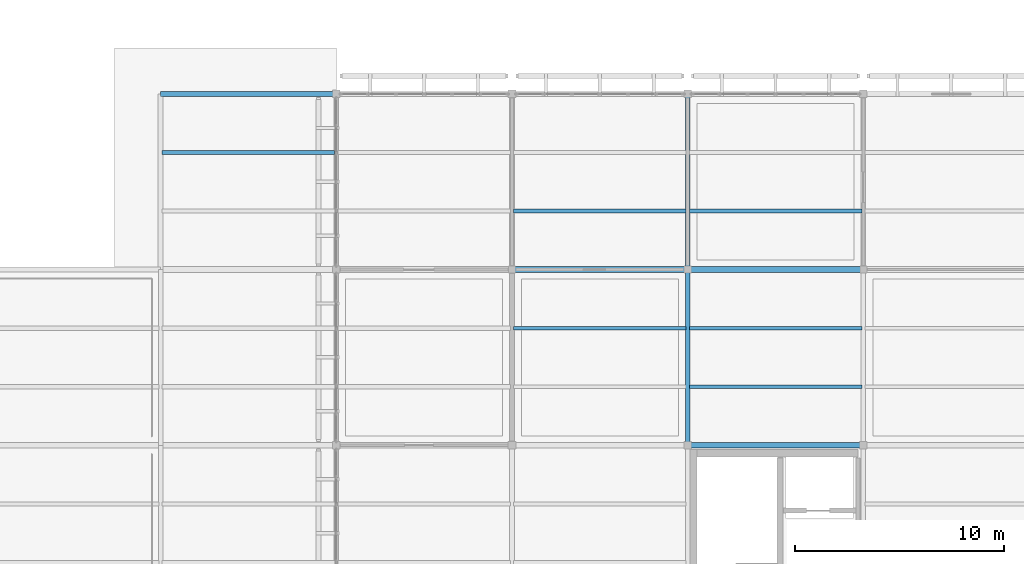
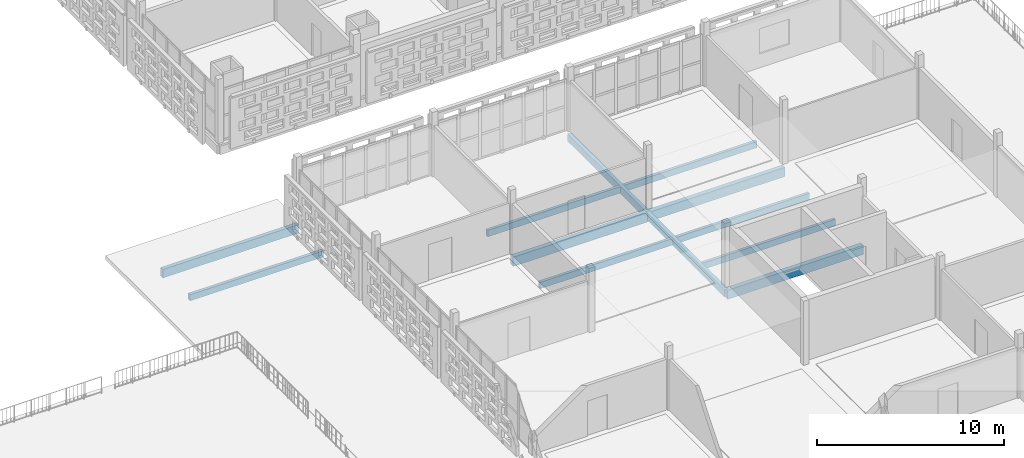
# One storey, part 62 of 166: 12 beams.
"""IFC4 building model written with IfcOpenShell, lengths in metres."""

from ifc_helpers import new_model, si_unit, direction, frame, origin, origin_2d, place, context, subcontext, project, spatial, rectangle, extrude, material, material_profile, profile_set, type_object, element, save


model = new_model("IFC4")

# Units and contexts
model_context = context("Model", 3, precision=1e-05, world=origin(), true_north=direction((0.0, 1.0)))
body_context = subcontext(model_context, "Body", "Model", "MODEL_VIEW")
ifc_project = project(units=[si_unit("LENGTHUNIT", "METRE"), si_unit("AREAUNIT", "SQUARE_METRE"), si_unit("VOLUMEUNIT", "CUBIC_METRE"), si_unit("PLANEANGLEUNIT", "RADIAN"), si_unit("MASSUNIT", "GRAM", prefix="KILO")], contexts=[model_context])

# Site, building, storey
site_placement = place(None, origin())
site = spatial("IfcSite", under=ifc_project, at=site_placement, CompositionType="ELEMENT")
building_placement = place(site_placement, origin())
building = spatial("IfcBuilding", under=site, at=building_placement, Name="Varnapada Polytechnic", CompositionType="ELEMENT")
storey_placement = place(building_placement, frame((0.0, 0.0, 9.60009765625)))
storey = spatial("IfcBuildingStorey", under=building, at=storey_placement, Name="L02", CompositionType="ELEMENT", Elevation=9.60009765625)

# Beams
ifc_material = material(Name="Glulam GL32h", Category="wood")
ifc_material_profile_1 = material_profile(ifc_material, rectangle(XDim=0.199951171875, YDim=0.39990234375, at=origin_2d()), Name="GL 200x400")
ifc_profile_set_1 = profile_set([ifc_material_profile_1], Name="Glulam GL32h")
beam_type_1 = type_object("IfcBeamType", Name="Library/laboratory glulam floor joist GJ-01 (GL 200x400)", PredefinedType="JOIST", material=ifc_profile_set_1)
beam_1_placement = place(storey_placement, frame((126.080078125, 47.60009765625, -0.47021484375), z_axis=(1.0, 0.0, 0.0), x_axis=(0.0, 1.0, 0.0)))
element("IfcBeam", 1, at=beam_1_placement, inside=storey, type_object=beam_type_1, Name="L02 floor joist 16/6.2", PredefinedType="JOIST", context=body_context, shape_type="SweptSolid", body=[
    extrude(rectangle(XDim=0.199951171875, YDim=0.39990234375, at=origin_2d()), origin(), (0.0, 0.0, 1.0), 8.239990234375),
])
ifc_material_profile_2 = material_profile(ifc_material, rectangle(XDim=0.239990234375, YDim=0.56005859375, at=origin_2d()), Name="GL 240x560")
ifc_profile_set_2 = profile_set([ifc_material_profile_2], Name="Glulam GL32h")
beam_type_2 = type_object("IfcBeamType", Name="Perimeter glulam spandrel beam SP-02 (GL 240x560)", PredefinedType="SPANDREL", material=ifc_profile_set_2)
beam_2_placement = place(storey_placement, frame((126.0, 50.39990234375, -0.550048828125), z_axis=(1.0, 0.0, 0.0), x_axis=(0.0, 1.0, 0.0)))
element("IfcBeam", 2, at=beam_2_placement, inside=storey, type_object=beam_type_2, Name="L02 beam X 16-17 at Y7", PredefinedType="SPANDREL", context=body_context, shape_type="SweptSolid", body=[
    extrude(rectangle(XDim=0.239990234375, YDim=0.56005859375, at=origin_2d()), origin(), (0.0, 0.0, 1.0), 8.39990234375),
])
ifc_material_profile_3 = material_profile(ifc_material, rectangle(XDim=0.280029296875, YDim=0.60009765625, at=origin_2d()), Name="GL 280x600")
ifc_profile_set_3 = profile_set([ifc_material_profile_3], Name="Glulam GL32h")
beam_type_3 = type_object("IfcBeamType", Name="Reading hall glulam girder GG-08 (GL 280x600)", PredefinedType="BEAM", material=ifc_profile_set_3)
beam_3_placement = place(storey_placement, frame((142.800048828125, 42.0, -0.550048828125), z_axis=(1.0, 0.0, 0.0), x_axis=(0.0, 1.0, 0.0)))
element("IfcBeam", 3, at=beam_3_placement, inside=storey, type_object=beam_type_3, Name="L02 beam X 18-19 at Y6", PredefinedType="BEAM", context=body_context, shape_type="SweptSolid", body=[
    extrude(rectangle(XDim=0.280029296875, YDim=0.60009765625, at=origin_2d()), origin(), (0.0, 0.0, 1.0), 8.39990234375),
])
for number, where, z_axis, x_axis, name in (
    (4, (151.199951171875, 33.60009765625, -0.550048828125), (1.0, 0.0, 0.0), (0.0, 1.0, 0.0), "L02 beam X 19-20 at Y5"),
    (5, (151.199951171875, 42.0, -0.550048828125), (1.0, 0.0, 0.0), (0.0, 1.0, 0.0), "L02 beam X 19-20 at Y6"),
):
    element("IfcBeam", number, at=place(storey_placement, frame(where, z_axis=z_axis, x_axis=x_axis)), inside=storey, type_object=beam_type_3, Name=name, PredefinedType="BEAM", context=body_context, shape_type="SweptSolid", body=[
        extrude(rectangle(XDim=0.280029296875, YDim=0.60009765625, at=origin_2d()), origin(), (0.0, 0.0, 1.0), 8.400146484375),
    ])
ifc_material_profile_4 = material_profile(ifc_material, rectangle(XDim=0.179931640625, YDim=0.419921875, at=origin_2d()), Name="GL 180x420")
ifc_profile_set_4 = profile_set([ifc_material_profile_4], Name="Glulam GL32h")
beam_type_4 = type_object("IfcBeamType", Name="Reading hall glulam joist GJ-04 (GL 180x420)", PredefinedType="JOIST", material=ifc_profile_set_4)
for number, where, z_axis, x_axis, name in (
    (6, (142.8798828125, 39.199951171875, -0.460205078125), (1.0, 0.0, 0.0), (0.0, 1.0, 0.0), "L02 floor joist 18/5.2"),
    (7, (142.8798828125, 44.800048828125, -0.460205078125), (1.0, 0.0, 0.0), (0.0, 1.0, 0.0), "L02 floor joist 18/6.1"),
):
    element("IfcBeam", number, at=place(storey_placement, frame(where, z_axis=z_axis, x_axis=x_axis)), inside=storey, type_object=beam_type_4, Name=name, PredefinedType="JOIST", context=body_context, shape_type="SweptSolid", body=[
        extrude(rectangle(XDim=0.179931640625, YDim=0.419921875, at=origin_2d()), origin(), (0.0, 0.0, 1.0), 8.240234375),
    ])
for number, where, z_axis, x_axis, name in (
    (8, (151.280029296875, 36.39990234375, -0.460205078125), (1.0, 0.0, 0.0), (0.0, 1.0, 0.0), "L02 floor joist 19/5.1"),
    (9, (151.280029296875, 39.199951171875, -0.460205078125), (1.0, 0.0, 0.0), (0.0, 1.0, 0.0), "L02 floor joist 19/5.2"),
    (10, (151.280029296875, 44.800048828125, -0.460205078125), (1.0, 0.0, 0.0), (0.0, 1.0, 0.0), "L02 floor joist 19/6.1"),
):
    element("IfcBeam", number, at=place(storey_placement, frame(where, z_axis=z_axis, x_axis=x_axis)), inside=storey, type_object=beam_type_4, Name=name, PredefinedType="JOIST", context=body_context, shape_type="SweptSolid", body=[
        extrude(rectangle(XDim=0.179931640625, YDim=0.419921875, at=origin_2d()), origin(), (0.0, 0.0, 1.0), 8.239990234375),
    ])
ifc_material_profile_5 = material_profile(ifc_material, rectangle(XDim=0.219970703125, YDim=0.47998046875, at=origin_2d()), Name="GL 220x480")
ifc_profile_set_5 = profile_set([ifc_material_profile_5], Name="Glulam GL32h")
beam_type_5 = type_object("IfcBeamType", Name="Upper floor glulam tie beam GB-11 (GL 220x480)", PredefinedType="BEAM", material=ifc_profile_set_5)
for number, where, z_axis, x_axis, name in (
    (11, (151.199951171875, 33.60009765625, -0.489990234375), (0.0, 1.0, 0.0), (-1.0, 0.0, 0.0), "L02 beam Y 5-6 at X19"),
    (12, (151.199951171875, 42.0, -0.489990234375), (0.0, 1.0, 0.0), (-1.0, 0.0, 0.0), "L02 beam Y 6-7 at X19"),
):
    element("IfcBeam", number, at=place(storey_placement, frame(where, z_axis=z_axis, x_axis=x_axis)), inside=storey, type_object=beam_type_5, Name=name, PredefinedType="BEAM", context=body_context, shape_type="SweptSolid", body=[
        extrude(rectangle(XDim=0.219970703125, YDim=0.47998046875, at=origin_2d()), origin(), (0.0, 0.0, 1.0), 8.39990234375),
    ])

save(model, "model.ifc")
